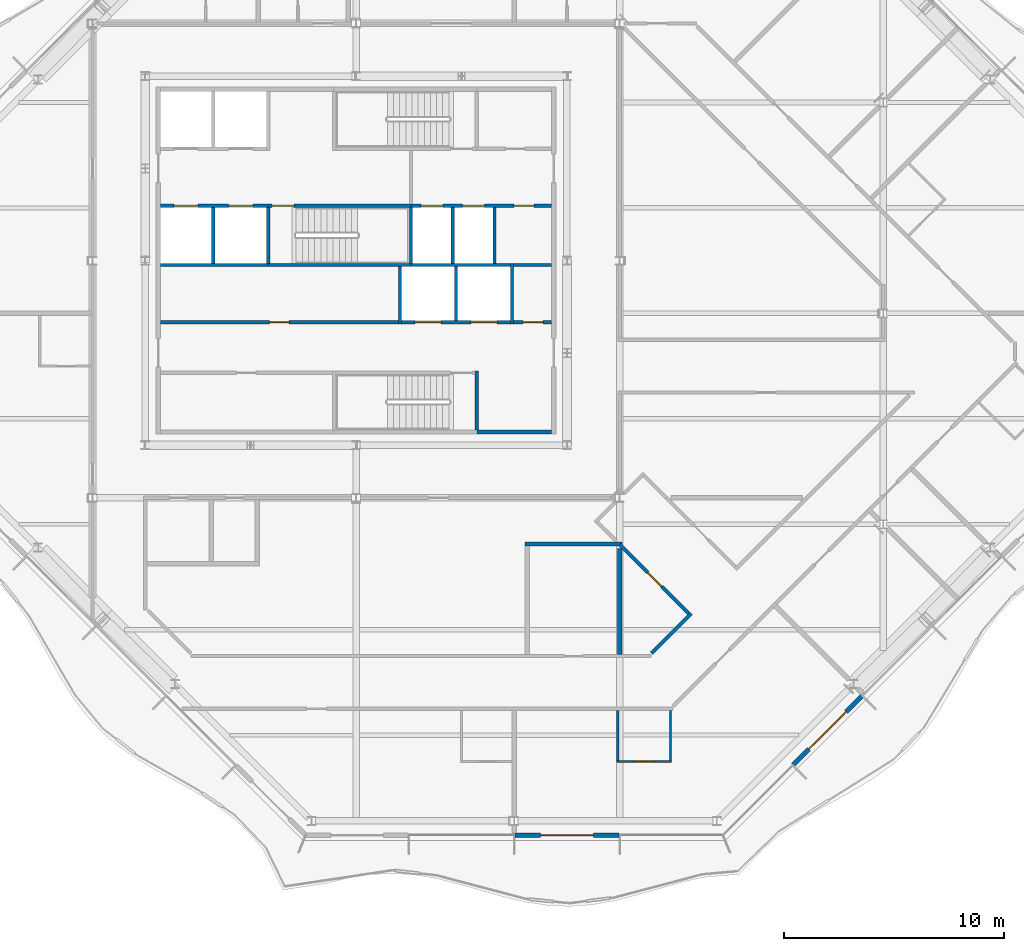
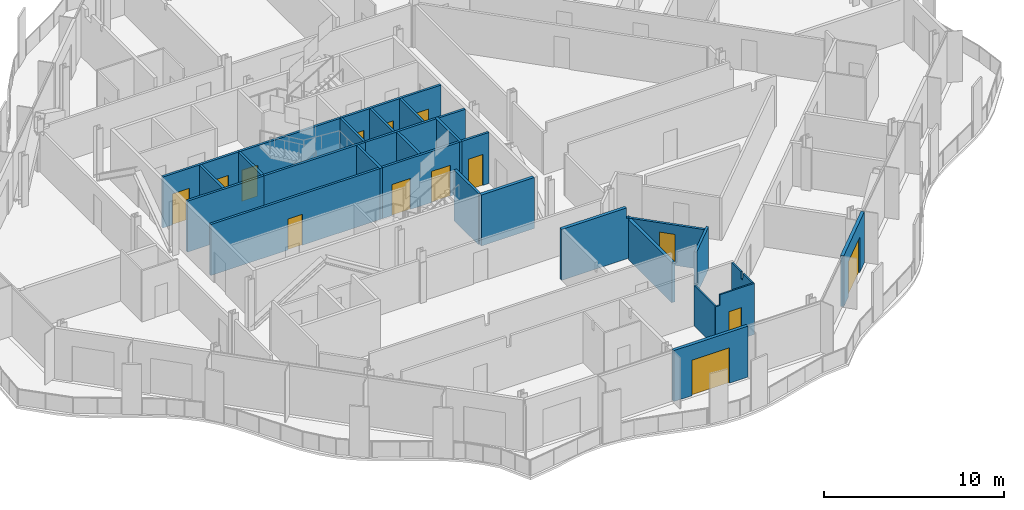
# One storey, part 8 of 17: 29 walls, 14 doors, 14 openings.
"""IFC4 building model written with IfcOpenShell, lengths in metres."""

from ifc_helpers import new_model, si_unit, direction, frame, frame_2d, origin, place, context, subcontext, project, spatial, polyline, rectangle, outline, extrude, material, layer, layer_set, type_object, element, fill, save


model = new_model("IFC4")

# Units and contexts
model_context = context("Model", 3, precision=1e-05, world=origin(), true_north=direction((0.0, 1.0)))
body_context = subcontext(model_context, "Body", "Model", "MODEL_VIEW")
ifc_project = project(units=[si_unit("LENGTHUNIT", "METRE"), si_unit("AREAUNIT", "SQUARE_METRE"), si_unit("VOLUMEUNIT", "CUBIC_METRE"), si_unit("PLANEANGLEUNIT", "RADIAN"), si_unit("MASSUNIT", "GRAM", prefix="KILO")], contexts=[model_context])

# Site, building, storey
site_placement = place(None, origin())
site = spatial("IfcSite", under=ifc_project, at=site_placement, CompositionType="ELEMENT")
building_placement = place(site_placement, origin())
building = spatial("IfcBuilding", under=site, at=building_placement, Name="Cairn Pilgrim Tower", CompositionType="ELEMENT")
storey_placement = place(building_placement, frame((0.0, 0.0, 235.800048828125)))
storey = spatial("IfcBuildingStorey", under=building, at=storey_placement, Name="L60", CompositionType="ELEMENT", Elevation=235.800048828125)

# Wall, opening, door
ifc_material_1 = material(Name="Bronze anodised aluminium insulated sandwich panel with mineral wool fill", Category="aluminium")
ifc_layer_1 = layer(ifc_material_1, 0.199951171875)
ifc_layer_set_1 = layer_set([ifc_layer_1], Name="BRONZE INFILL FRAME WALL 200")
wall_type_1 = type_object("IfcWallType", Name="BRONZE INFILL FRAME WALL 200", PredefinedType="NOTDEFINED", material=ifc_layer_set_1)
wall_1_placement = place(storey_placement, frame((14.429931640625, -23.75, 0.0), z_axis=(0.0, 0.0, 1.0), x_axis=(1.0, 0.0, 0.0)))
wall_1 = element("IfcWall", 1, at=wall_1_placement, inside=storey, type_object=wall_type_1, Name="Bronze infill frame wall IW-S3", PredefinedType="NOTDEFINED", context=body_context, shape_type="SweptSolid", body=[
    extrude(rectangle(XDim=4.739990234375, YDim=0.199951171875, at=frame_2d((2.3701171875, 0.0))), origin(), (0.0, 0.0, 1.0), 3.449951171875),
])
opening_1_placement = place(wall_1_placement, frame((1.169921875, 0.0, 0.0)))
opening_1 = element("IfcOpeningElement", 2, at=opening_1_placement, cuts=wall_1, Name="Opening 6001B2", PredefinedType="OPENING", context=body_context, shape_type="SweptSolid", body=[
    extrude(rectangle(XDim=2.39990234375, YDim=2.39990234375, at=frame_2d((1.199951171875, 1.199951171875))), frame((0.0, 0.10986328125, 0.0), z_axis=(0.0, -1.0, 0.0), x_axis=(1.0, 0.0, 0.0)), (0.0, 0.0, 1.0), 0.219970703125),
])
ifc_material_2 = material(Name="Bronze anodised aluminium frame with tinted low-E glass", Category="aluminium")
door_type_1 = type_object("IfcDoorType", Name="BALCONY SLIDING DOOR 2400x2400", OperationType="DOUBLE_DOOR_SLIDING", PredefinedType="DOOR", material=ifc_material_2)
door_1_placement = place(opening_1_placement, origin())
door_1 = element("IfcDoor", 3, at=door_1_placement, inside=storey, type_object=door_type_1, Name="Balcony sliding door 6001B2", OperationType="SINGLE_SWING_LEFT", OverallHeight=2.39990234375, OverallWidth=2.39990234375, PredefinedType="DOOR", context=body_context, shape_type="SweptSolid", body=[
    extrude(rectangle(XDim=2.39990234375, YDim=2.39990234375, at=frame_2d((1.199951171875, 1.199951171875))), frame((0.0, 0.02490234375, 0.0), z_axis=(0.0, -1.0, 0.0), x_axis=(1.0, 0.0, 0.0)), (0.0, 0.0, 1.0), 0.050048828125),
])
fill(opening_1, door_1)

wall_2_placement = place(storey_placement, frame((27.09326171875, -20.55322265625, 0.0), z_axis=(0.0, 0.0, 1.0), x_axis=(0.707079231393, 0.707134329907, 0.0)))
wall_2 = element("IfcWall", 4, at=wall_2_placement, inside=storey, type_object=wall_type_1, Name="Bronze infill frame wall IW-SE2", PredefinedType="NOTDEFINED", context=body_context, shape_type="SweptSolid", body=[
    extrude(rectangle(XDim=4.430908203125, YDim=0.199951171875, at=frame_2d((2.21533203125, 0.0))), origin(), (0.0, 0.0, 1.0), 3.449951171875),
])
opening_2_placement = place(wall_2_placement, frame((1.015380859375, 0.0, 0.0)))
opening_2 = element("IfcOpeningElement", 5, at=opening_2_placement, cuts=wall_2, Name="Opening 6001B", PredefinedType="OPENING", context=body_context, shape_type="SweptSolid", body=[
    extrude(rectangle(XDim=2.39990234375, YDim=2.39990234375, at=frame_2d((1.199951171875, 1.199951171875))), frame((0.0, 0.10986328125, 0.0), z_axis=(0.0, -1.0, 0.0), x_axis=(1.0, 0.0, 0.0)), (0.0, 0.0, 1.0), 0.219970703125),
])
door_2_placement = place(opening_2_placement, origin())
door_2 = element("IfcDoor", 6, at=door_2_placement, inside=storey, type_object=door_type_1, Name="Balcony sliding door 6001B", OperationType="SINGLE_SWING_LEFT", OverallHeight=2.39990234375, OverallWidth=2.39990234375, PredefinedType="DOOR", context=body_context, shape_type="SweptSolid", body=[
    extrude(rectangle(XDim=2.39990234375, YDim=2.39990234375, at=frame_2d((1.199951171875, 1.199951171875))), frame((0.0, 0.02490234375, 0.0), z_axis=(0.0, -1.0, 0.0), x_axis=(1.0, 0.0, 0.0)), (0.0, 0.0, 1.0), 0.050048828125),
])
fill(opening_2, door_2)

# Wall
ifc_material_3 = material(Name="Concrete C32/40", Category="concrete")
ifc_layer_2 = layer(ifc_material_3, 0.199951171875)
ifc_layer_set_2 = layer_set([ifc_layer_2], Name="CORE OUTER WALL 200 EI 120")
wall_type_2 = type_object("IfcWallType", Name="CORE OUTER WALL 200 EI 120", PredefinedType="SOLIDWALL", material=ifc_layer_set_2)
wall_3_placement = place(storey_placement, frame((12.699951171875, -5.39990234375, 0.0), z_axis=(0.0, 0.0, 1.0), x_axis=(1.0, 0.0, 0.0)))
element("IfcWall", 7, at=wall_3_placement, inside=storey, type_object=wall_type_2, Name="CW:L60:H01-3", PredefinedType="SOLIDWALL", context=body_context, shape_type="SweptSolid", body=[
    extrude(rectangle(XDim=3.400146484375, YDim=0.199951171875, at=frame_2d((1.7001953125, 0.0))), origin(), (0.0, 0.0, 1.0), 3.449951171875),
])

# Wall, opening, door
ifc_layer_3 = layer(ifc_material_3, 0.14990234375)
ifc_layer_set_3 = layer_set([ifc_layer_3], Name="CORE PARTITION 150 EI 60")
wall_type_3 = type_object("IfcWallType", Name="CORE PARTITION 150 EI 60", PredefinedType="PARTITIONING", material=ifc_layer_set_3)
wall_4_placement = place(storey_placement, frame((-1.699951171875, -0.39990234375, 0.0), z_axis=(0.0, 0.0, 1.0), x_axis=(1.0, 0.0, 0.0)))
wall_4 = element("IfcWall", 8, at=wall_4_placement, inside=storey, type_object=wall_type_3, Name="CW:L60:H04", PredefinedType="PARTITIONING", context=body_context, shape_type="SweptSolid", body=[
    extrude(rectangle(XDim=10.824951171875, YDim=0.14990234375, at=frame_2d((5.41259765625, 0.0))), origin(), (0.0, 0.0, 1.0), 3.449951171875),
])
opening_3_placement = place(wall_4_placement, frame((4.949951171875, 0.0, 0.0)))
opening_3 = element("IfcOpeningElement", 9, at=opening_3_placement, cuts=wall_4, Name="Opening RD-R2W1", PredefinedType="OPENING", context=body_context, shape_type="SweptSolid", body=[
    extrude(rectangle(XDim=0.89990234375, YDim=2.10009765625, at=frame_2d((0.449951171875, 1.050048828125))), frame((0.0, 0.0849609375, 0.0), z_axis=(0.0, -1.0, 0.0), x_axis=(1.0, 0.0, 0.0)), (0.0, 0.0, 1.0), 0.169921875),
])
ifc_material_4 = material(Name="Painted steel", Category="steel")
door_type_2 = type_object("IfcDoorType", Name="SERVICE ROOM DOOR 900x2100", OperationType="SINGLE_SWING_LEFT", PredefinedType="DOOR", material=ifc_material_4)
door_3_placement = place(opening_3_placement, origin())
door_3 = element("IfcDoor", 10, at=door_3_placement, inside=storey, type_object=door_type_2, Name="RD-R2W1", OperationType="SINGLE_SWING_RIGHT", OverallHeight=2.10009765625, OverallWidth=0.89990234375, PredefinedType="DOOR", context=body_context, shape_type="SweptSolid", body=[
    extrude(rectangle(XDim=0.89990234375, YDim=2.10009765625, at=frame_2d((0.449951171875, 1.050048828125))), frame((0.0, 0.02490234375, 0.0), z_axis=(0.0, -1.0, 0.0), x_axis=(1.0, 0.0, 0.0)), (0.0, 0.0, 1.0), 0.050048828125),
])
fill(opening_3, door_3)

wall_5_placement = place(storey_placement, frame((14.375, -0.39990234375, 0.0), z_axis=(0.0, 0.0, 1.0), x_axis=(1.0, 0.0, 0.0)))
wall_5 = element("IfcWall", 11, at=wall_5_placement, inside=storey, type_object=wall_type_3, Name="CW:L60:H06", PredefinedType="PARTITIONING", context=body_context, shape_type="SweptSolid", body=[
    extrude(rectangle(XDim=1.72509765625, YDim=0.14990234375, at=frame_2d((0.862548828125, 0.0))), origin(), (0.0, 0.0, 1.0), 3.449951171875),
])
opening_4_placement = place(wall_5_placement, frame((0.425048828125, 0.0, 0.0)))
opening_4 = element("IfcOpeningElement", 12, at=opening_4_placement, cuts=wall_5, Name="Opening RD-R2E", PredefinedType="OPENING", context=body_context, shape_type="SweptSolid", body=[
    extrude(rectangle(XDim=0.89990234375, YDim=2.10009765625, at=frame_2d((0.449951171875, 1.050048828125))), frame((0.0, 0.0849609375, 0.0), z_axis=(0.0, -1.0, 0.0), x_axis=(1.0, 0.0, 0.0)), (0.0, 0.0, 1.0), 0.169921875),
])
door_4_placement = place(opening_4_placement, origin())
door_4 = element("IfcDoor", 13, at=door_4_placement, inside=storey, type_object=door_type_2, Name="RD-R2E", OperationType="SINGLE_SWING_RIGHT", OverallHeight=2.10009765625, OverallWidth=0.89990234375, PredefinedType="DOOR", context=body_context, shape_type="SweptSolid", body=[
    extrude(rectangle(XDim=0.89990234375, YDim=2.10009765625, at=frame_2d((0.449951171875, 1.050048828125))), frame((0.0, 0.02490234375, 0.0), z_axis=(0.0, -1.0, 0.0), x_axis=(1.0, 0.0, 0.0)), (0.0, 0.0, 1.0), 0.050048828125),
])
fill(opening_4, door_4)

# Wall
wall_6_placement = place(storey_placement, frame((14.375, 2.199951171875, 0.0), z_axis=(0.0, 0.0, 1.0), x_axis=(1.0, 0.0, 0.0)))
element("IfcWall", 14, at=wall_6_placement, inside=storey, type_object=wall_type_3, Name="CW:L60:H08", PredefinedType="PARTITIONING", context=body_context, shape_type="SweptSolid", body=[
    extrude(rectangle(XDim=1.72509765625, YDim=0.14990234375, at=frame_2d((0.862548828125, 0.0))), origin(), (0.0, 0.0, 1.0), 3.449951171875),
])

# Wall, openings, doors
ifc_layer_4 = layer(ifc_material_3, 0.14990234375)
ifc_layer_set_4 = layer_set([ifc_layer_4], Name="CORE SHAFT WALL 150 EI 120")
wall_type_4 = type_object("IfcWallType", Name="CORE SHAFT WALL 150 EI 120", PredefinedType="SOLIDWALL", material=ifc_layer_set_4)
wall_7_placement = place(storey_placement, frame((9.27490234375, -0.39990234375, 0.0), z_axis=(0.0, 0.0, 1.0), x_axis=(1.0, 0.0, 0.0)))
wall_7 = element("IfcWall", 15, at=wall_7_placement, inside=storey, type_object=wall_type_4, Name="CW:L60:H05", PredefinedType="SOLIDWALL", context=body_context, shape_type="SweptSolid", body=[
    extrude(rectangle(XDim=4.9501953125, YDim=0.14990234375, at=frame_2d((2.47509765625, 0.0))), origin(), (0.0, 0.0, 1.0), 3.449951171875),
])
opening_5_placement = place(wall_7_placement, frame((0.60009765625, 0.0, 0.0)))
opening_5 = element("IfcOpeningElement", 16, at=opening_5_placement, cuts=wall_7, Name="Opening LD-SV1", PredefinedType="OPENING", context=body_context, shape_type="SweptSolid", body=[
    extrude(rectangle(XDim=1.199951171875, YDim=2.10009765625, at=frame_2d((0.60009765625, 1.050048828125))), frame((0.0, 0.0849609375, 0.0), z_axis=(0.0, -1.0, 0.0), x_axis=(1.0, 0.0, 0.0)), (0.0, 0.0, 1.0), 0.169921875),
])
opening_6_placement = place(wall_7_placement, frame((3.14990234375, 0.0, 0.0)))
opening_6 = element("IfcOpeningElement", 17, at=opening_6_placement, cuts=wall_7, Name="Opening LD-SV2", PredefinedType="OPENING", context=body_context, shape_type="SweptSolid", body=[
    extrude(rectangle(XDim=1.199951171875, YDim=2.10009765625, at=frame_2d((0.60009765625, 1.050048828125))), frame((0.0, 0.0849609375, 0.0), z_axis=(0.0, -1.0, 0.0), x_axis=(1.0, 0.0, 0.0)), (0.0, 0.0, 1.0), 0.169921875),
])
ifc_material_5 = material(Name="Stainless steel", Category="steel")
door_type_3 = type_object("IfcDoorType", Name="LIFT LANDING DOOR 1200x2100", OperationType="DOUBLE_DOOR_SLIDING", PredefinedType="DOOR", material=ifc_material_5)
door_5_placement = place(opening_5_placement, origin())
door_5 = element("IfcDoor", 18, at=door_5_placement, inside=storey, type_object=door_type_3, Name="LANDING DOOR SV1", OperationType="DOUBLE_DOOR_SLIDING", OverallHeight=2.10009765625, OverallWidth=1.199951171875, PredefinedType="DOOR", context=body_context, shape_type="SweptSolid", body=[
    extrude(rectangle(XDim=1.199951171875, YDim=2.10009765625, at=frame_2d((0.60009765625, 1.050048828125))), frame((0.0, 0.02490234375, 0.0), z_axis=(0.0, -1.0, 0.0), x_axis=(1.0, 0.0, 0.0)), (0.0, 0.0, 1.0), 0.050048828125),
])
fill(opening_5, door_5)
door_6_placement = place(opening_6_placement, origin())
door_6 = element("IfcDoor", 19, at=door_6_placement, inside=storey, type_object=door_type_3, Name="LANDING DOOR SV2", OperationType="DOUBLE_DOOR_SLIDING", OverallHeight=2.10009765625, OverallWidth=1.199951171875, PredefinedType="DOOR", context=body_context, shape_type="SweptSolid", body=[
    extrude(rectangle(XDim=1.199951171875, YDim=2.10009765625, at=frame_2d((0.60009765625, 1.050048828125))), frame((0.0, 0.02490234375, 0.0), z_axis=(0.0, -1.0, 0.0), x_axis=(1.0, 0.0, 0.0)), (0.0, 0.0, 1.0), 0.050048828125),
])
fill(opening_6, door_6)

# Walls
wall_8_placement = place(storey_placement, frame((-1.699951171875, 2.199951171875, 0.0), z_axis=(0.0, 0.0, 1.0), x_axis=(1.0, 0.0, 0.0)))
element("IfcWall", 20, at=wall_8_placement, inside=storey, type_object=wall_type_4, Name="CW:L60:H07-1", PredefinedType="SOLIDWALL", context=body_context, shape_type="SweptSolid", body=[
    extrude(rectangle(XDim=4.89990234375, YDim=0.14990234375, at=frame_2d((2.449951171875, 0.0))), origin(), (0.0, 0.0, 1.0), 3.449951171875),
])
wall_9_placement = place(storey_placement, frame((9.699951171875, 2.199951171875, 0.0), z_axis=(0.0, 0.0, 1.0), x_axis=(1.0, 0.0, 0.0)))
element("IfcWall", 21, at=wall_9_placement, inside=storey, type_object=wall_type_4, Name="CW:L60:H07-3", PredefinedType="SOLIDWALL", context=body_context, shape_type="SweptSolid", body=[
    extrude(rectangle(XDim=4.525146484375, YDim=0.14990234375, at=frame_2d((2.2626953125, 0.0))), origin(), (0.0, 0.0, 1.0), 3.449951171875),
])

# Wall, openings, doors
wall_10_placement = place(storey_placement, frame((-1.699951171875, 4.89990234375, 0.0), z_axis=(0.0, 0.0, 1.0), x_axis=(1.0, 0.0, 0.0)))
wall_10 = element("IfcWall", 22, at=wall_10_placement, inside=storey, type_object=wall_type_4, Name="CW:L60:H09-1", PredefinedType="SOLIDWALL", context=body_context, shape_type="SweptSolid", body=[
    extrude(rectangle(XDim=4.89990234375, YDim=0.14990234375, at=frame_2d((2.449951171875, 0.0))), origin(), (0.0, 0.0, 1.0), 3.449951171875),
])
opening_7_placement = place(wall_10_placement, frame((0.60009765625, 0.0, 0.0)))
opening_7 = element("IfcOpeningElement", 23, at=opening_7_placement, cuts=wall_10, Name="Opening LD-HR1", PredefinedType="OPENING", context=body_context, shape_type="SweptSolid", body=[
    extrude(rectangle(XDim=1.10009765625, YDim=2.10009765625, at=frame_2d((0.550048828125, 1.050048828125))), frame((0.0, 0.0849609375, 0.0), z_axis=(0.0, -1.0, 0.0), x_axis=(1.0, 0.0, 0.0)), (0.0, 0.0, 1.0), 0.169921875),
])
opening_8_placement = place(wall_10_placement, frame((3.10009765625, 0.0, 0.0)))
opening_8 = element("IfcOpeningElement", 24, at=opening_8_placement, cuts=wall_10, Name="Opening LD-HR2", PredefinedType="OPENING", context=body_context, shape_type="SweptSolid", body=[
    extrude(rectangle(XDim=1.10009765625, YDim=2.10009765625, at=frame_2d((0.550048828125, 1.050048828125))), frame((0.0, 0.0849609375, 0.0), z_axis=(0.0, -1.0, 0.0), x_axis=(1.0, 0.0, 0.0)), (0.0, 0.0, 1.0), 0.169921875),
])
door_type_4 = type_object("IfcDoorType", Name="LIFT LANDING DOOR 1100x2100", OperationType="DOUBLE_DOOR_SLIDING", PredefinedType="DOOR", material=ifc_material_5)
door_7_placement = place(opening_7_placement, origin())
door_7 = element("IfcDoor", 25, at=door_7_placement, inside=storey, type_object=door_type_4, Name="LANDING DOOR HR1", OperationType="DOUBLE_DOOR_SLIDING", OverallHeight=2.10009765625, OverallWidth=1.10009765625, PredefinedType="DOOR", context=body_context, shape_type="SweptSolid", body=[
    extrude(rectangle(XDim=1.10009765625, YDim=2.10009765625, at=frame_2d((0.550048828125, 1.050048828125))), frame((0.0, 0.02490234375, 0.0), z_axis=(0.0, -1.0, 0.0), x_axis=(1.0, 0.0, 0.0)), (0.0, 0.0, 1.0), 0.050048828125),
])
fill(opening_7, door_7)
door_8_placement = place(opening_8_placement, origin())
door_8 = element("IfcDoor", 26, at=door_8_placement, inside=storey, type_object=door_type_4, Name="LANDING DOOR HR2", OperationType="DOUBLE_DOOR_SLIDING", OverallHeight=2.10009765625, OverallWidth=1.10009765625, PredefinedType="DOOR", context=body_context, shape_type="SweptSolid", body=[
    extrude(rectangle(XDim=1.10009765625, YDim=2.10009765625, at=frame_2d((0.550048828125, 1.050048828125))), frame((0.0, 0.02490234375, 0.0), z_axis=(0.0, -1.0, 0.0), x_axis=(1.0, 0.0, 0.0)), (0.0, 0.0, 1.0), 0.050048828125),
])
fill(opening_8, door_8)

wall_11_placement = place(storey_placement, frame((9.699951171875, 4.89990234375, 0.0), z_axis=(0.0, 0.0, 1.0), x_axis=(1.0, 0.0, 0.0)))
wall_11 = element("IfcWall", 27, at=wall_11_placement, inside=storey, type_object=wall_type_4, Name="CW:L60:H09-3", PredefinedType="SOLIDWALL", context=body_context, shape_type="SweptSolid", body=[
    extrude(rectangle(XDim=6.400146484375, YDim=0.14990234375, at=frame_2d((3.2001953125, 0.0))), origin(), (0.0, 0.0, 1.0), 3.449951171875),
])
opening_9_placement = place(wall_11_placement, frame((0.449951171875, 0.0, 0.0)))
opening_9 = element("IfcOpeningElement", 28, at=opening_9_placement, cuts=wall_11, Name="Opening LD-FF1", PredefinedType="OPENING", context=body_context, shape_type="SweptSolid", body=[
    extrude(rectangle(XDim=1.0, YDim=2.10009765625, at=frame_2d((0.5, 1.050048828125))), frame((0.0, 0.0849609375, 0.0), z_axis=(0.0, -1.0, 0.0), x_axis=(1.0, 0.0, 0.0)), (0.0, 0.0, 1.0), 0.169921875),
])
opening_10_placement = place(wall_11_placement, frame((2.35009765625, 0.0, 0.0)))
opening_10 = element("IfcOpeningElement", 29, at=opening_10_placement, cuts=wall_11, Name="Opening LD-FF2", PredefinedType="OPENING", context=body_context, shape_type="SweptSolid", body=[
    extrude(rectangle(XDim=1.0, YDim=2.10009765625, at=frame_2d((0.5, 1.050048828125))), frame((0.0, 0.0849609375, 0.0), z_axis=(0.0, -1.0, 0.0), x_axis=(1.0, 0.0, 0.0)), (0.0, 0.0, 1.0), 0.169921875),
])
opening_11_placement = place(wall_11_placement, frame((4.699951171875, 0.0, 0.0)))
opening_11 = element("IfcOpeningElement", 30, at=opening_11_placement, cuts=wall_11, Name="Opening RD-R3E", PredefinedType="OPENING", context=body_context, shape_type="SweptSolid", body=[
    extrude(rectangle(XDim=0.89990234375, YDim=2.10009765625, at=frame_2d((0.449951171875, 1.050048828125))), frame((0.0, 0.0849609375, 0.0), z_axis=(0.0, -1.0, 0.0), x_axis=(1.0, 0.0, 0.0)), (0.0, 0.0, 1.0), 0.169921875),
])
door_type_5 = type_object("IfcDoorType", Name="LIFT LANDING DOOR FIRE 1000x2100", OperationType="DOUBLE_DOOR_SLIDING", PredefinedType="DOOR", material=ifc_material_5)
door_9_placement = place(opening_9_placement, origin())
door_9 = element("IfcDoor", 31, at=door_9_placement, inside=storey, type_object=door_type_5, Name="LANDING DOOR FF1", OperationType="DOUBLE_DOOR_SLIDING", OverallHeight=2.10009765625, OverallWidth=1.0, PredefinedType="DOOR", context=body_context, shape_type="SweptSolid", body=[
    extrude(rectangle(XDim=1.0, YDim=2.10009765625, at=frame_2d((0.5, 1.050048828125))), frame((0.0, 0.02490234375, 0.0), z_axis=(0.0, -1.0, 0.0), x_axis=(1.0, 0.0, 0.0)), (0.0, 0.0, 1.0), 0.050048828125),
])
fill(opening_9, door_9)
door_10_placement = place(opening_10_placement, origin())
door_10 = element("IfcDoor", 32, at=door_10_placement, inside=storey, type_object=door_type_5, Name="LANDING DOOR FF2", OperationType="DOUBLE_DOOR_SLIDING", OverallHeight=2.10009765625, OverallWidth=1.0, PredefinedType="DOOR", context=body_context, shape_type="SweptSolid", body=[
    extrude(rectangle(XDim=1.0, YDim=2.10009765625, at=frame_2d((0.5, 1.050048828125))), frame((0.0, 0.02490234375, 0.0), z_axis=(0.0, -1.0, 0.0), x_axis=(1.0, 0.0, 0.0)), (0.0, 0.0, 1.0), 0.050048828125),
])
fill(opening_10, door_10)
door_11_placement = place(opening_11_placement, origin())
door_11 = element("IfcDoor", 33, at=door_11_placement, inside=storey, type_object=door_type_2, Name="RD-R3E", OperationType="SINGLE_SWING_LEFT", OverallHeight=2.10009765625, OverallWidth=0.89990234375, PredefinedType="DOOR", context=body_context, shape_type="SweptSolid", body=[
    extrude(rectangle(XDim=0.89990234375, YDim=2.10009765625, at=frame_2d((0.449951171875, 1.050048828125))), frame((0.0, 0.02490234375, 0.0), z_axis=(0.0, -1.0, 0.0), x_axis=(1.0, 0.0, 0.0)), (0.0, 0.0, 1.0), 0.050048828125),
])
fill(opening_11, door_11)

# Walls
wall_12_placement = place(storey_placement, frame((0.699951171875, 2.27490234375, 0.0), z_axis=(0.0, 0.0, 1.0), x_axis=(0.0, 1.0, 0.0)))
element("IfcWall", 34, at=wall_12_placement, inside=storey, type_object=wall_type_4, Name="CW:L60:V14", PredefinedType="SOLIDWALL", context=body_context, shape_type="SweptSolid", body=[
    extrude(rectangle(XDim=2.550048828125, YDim=0.14990234375, at=frame_2d((1.27490234375, 0.0))), origin(), (0.0, 0.0, 1.0), 3.449951171875),
])
wall_13_placement = place(storey_placement, frame((9.199951171875, -0.47509765625, 0.0), z_axis=(0.0, 0.0, 1.0), x_axis=(0.0, 1.0, 0.0)))
element("IfcWall", 35, at=wall_13_placement, inside=storey, type_object=wall_type_4, Name="CW:L60:V20", PredefinedType="SOLIDWALL", context=body_context, shape_type="SweptSolid", body=[
    extrude(rectangle(XDim=2.60009765625, YDim=0.14990234375, at=frame_2d((1.300048828125, 0.0))), origin(), (0.0, 0.0, 1.0), 3.449951171875),
])
wall_14_placement = place(storey_placement, frame((11.60009765625, 2.27490234375, 0.0), z_axis=(0.0, 0.0, 1.0), x_axis=(0.0, 1.0, 0.0)))
element("IfcWall", 36, at=wall_14_placement, inside=storey, type_object=wall_type_4, Name="CW:L60:V23", PredefinedType="SOLIDWALL", context=body_context, shape_type="SweptSolid", body=[
    extrude(rectangle(XDim=2.550048828125, YDim=0.14990234375, at=frame_2d((1.27490234375, 0.0))), origin(), (0.0, 0.0, 1.0), 3.449951171875),
])
wall_15_placement = place(storey_placement, frame((11.75, -0.324951171875, 0.0), z_axis=(0.0, 0.0, 1.0), x_axis=(0.0, 1.0, 0.0)))
element("IfcWall", 37, at=wall_15_placement, inside=storey, type_object=wall_type_4, Name="CW:L60:V24", PredefinedType="SOLIDWALL", context=body_context, shape_type="SweptSolid", body=[
    extrude(rectangle(XDim=2.449951171875, YDim=0.14990234375, at=frame_2d((1.22509765625, 0.0))), origin(), (0.0, 0.0, 1.0), 3.449951171875),
])
wall_16_placement = place(storey_placement, frame((13.5, 2.27490234375, 0.0), z_axis=(0.0, 0.0, 1.0), x_axis=(0.0, 1.0, 0.0)))
element("IfcWall", 38, at=wall_16_placement, inside=storey, type_object=wall_type_4, Name="CW:L60:V27", PredefinedType="SOLIDWALL", context=body_context, shape_type="SweptSolid", body=[
    extrude(rectangle(XDim=2.550048828125, YDim=0.14990234375, at=frame_2d((1.27490234375, 0.0))), origin(), (0.0, 0.0, 1.0), 3.449951171875),
])
wall_17_placement = place(storey_placement, frame((14.300048828125, -0.47509765625, 0.0), z_axis=(0.0, 0.0, 1.0), x_axis=(0.0, 1.0, 0.0)))
element("IfcWall", 39, at=wall_17_placement, inside=storey, type_object=wall_type_4, Name="CW:L60:V28", PredefinedType="SOLIDWALL", context=body_context, shape_type="SweptSolid", body=[
    extrude(rectangle(XDim=2.75, YDim=0.14990234375, at=frame_2d((1.375, 0.0))), origin(), (0.0, 0.0, 1.0), 3.449951171875),
])

# Wall, opening, door
ifc_material_6 = material(Name="Gypsum partition")
ifc_layer_5 = layer(ifc_material_6, 0.10009765625)
ifc_layer_set_5 = layer_set([ifc_layer_5], Name="PARTITION 100 DRYWALL")
wall_type_5 = type_object("IfcWallType", Name="PARTITION 100 DRYWALL", PredefinedType="PARTITIONING", material=ifc_layer_set_5)
wall_18_placement = place(storey_placement, frame((19.06494140625, -20.39990234375, 0.0), z_axis=(0.0, 0.0, 1.0), x_axis=(1.0, 0.0, 0.0)))
wall_18 = element("IfcWall", 40, at=wall_18_placement, inside=storey, type_object=wall_type_5, Name="PARTITION W005", PredefinedType="PARTITIONING", context=body_context, shape_type="SweptSolid", body=[
    extrude(outline(polyline([(0.0, 0.0), (2.5, 0.0), (2.5, 3.449951171875), (0.284912109375, 3.449951171875), (0.282958984375, 2.72998046875), (0.0, 2.72998046875), (0.0, 0.0)])), frame((0.0, 0.050048828125, 0.0), z_axis=(0.0, -1.0, 0.0), x_axis=(1.0, 0.0, 0.0)), (0.0, 0.0, 1.0), 0.10009765625),
])
opening_12_placement = place(wall_18_placement, frame((0.85009765625, 0.0, 0.0)))
opening_12 = element("IfcOpeningElement", 41, at=opening_12_placement, cuts=wall_18, Name="Opening 6001A", PredefinedType="OPENING", context=body_context, shape_type="SweptSolid", body=[
    extrude(rectangle(XDim=0.800048828125, YDim=2.10009765625, at=frame_2d((0.39990234375, 1.050048828125))), frame((0.0, 0.06005859375, 0.0), z_axis=(0.0, -1.0, 0.0), x_axis=(1.0, 0.0, 0.0)), (0.0, 0.0, 1.0), 0.1201171875),
])
ifc_material_7 = material(Name="Timber door leaf", Category="wood")
door_type_6 = type_object("IfcDoorType", Name="WC DOOR 800x2100", OperationType="NOTDEFINED", PredefinedType="DOOR", material=ifc_material_7)
door_12_placement = place(opening_12_placement, frame((0.800048828125, 0.0, 0.0), z_axis=(0.0, 0.0, 1.0), x_axis=(-1.0, 0.0, 0.0)))
door_12 = element("IfcDoor", 42, at=door_12_placement, inside=storey, type_object=door_type_6, Name="DOOR 6001A", OperationType="SINGLE_SWING_RIGHT", OverallHeight=2.10009765625, OverallWidth=0.800048828125, PredefinedType="DOOR", context=body_context, shape_type="SweptSolid", body=[
    extrude(rectangle(XDim=0.800048828125, YDim=2.10009765625, at=frame_2d((0.39990234375, 1.050048828125))), frame((0.0, 0.02490234375, 0.0), z_axis=(0.0, -1.0, 0.0), x_axis=(1.0, 0.0, 0.0)), (0.0, 0.0, 1.0), 0.050048828125),
])
fill(opening_12, door_12)

# Walls
wall_19_placement = place(storey_placement, frame((19.114990234375, -20.35009765625, 0.0), z_axis=(0.0, 0.0, 1.0), x_axis=(0.0, 1.0, 0.0)))
element("IfcWall", 43, at=wall_19_placement, inside=storey, type_object=wall_type_5, Name="PARTITION W006", PredefinedType="PARTITIONING", context=body_context, shape_type="SweptSolid", body=[
    extrude(rectangle(XDim=2.275146484375, YDim=0.10009765625, at=frame_2d((1.1376953125, 0.0))), origin(), (0.0, 0.0, 1.0), 2.72998046875),
])
wall_20_placement = place(storey_placement, frame((21.514892578125, -20.35009765625, 0.0), z_axis=(0.0, 0.0, 1.0), x_axis=(0.0, 1.0, 0.0)))
element("IfcWall", 44, at=wall_20_placement, inside=storey, type_object=wall_type_5, Name="PARTITION W007", PredefinedType="PARTITIONING", context=body_context, shape_type="SweptSolid", body=[
    extrude(outline(polyline([(0.0, 0.0), (2.275146484375, 0.0), (2.27490234375, 3.449951171875), (1.2451171875, 3.449951171875), (1.242919921875, 2.97998046875), (1.054931640625, 2.97998046875), (1.052978515625, 3.449951171875), (0.0, 3.449951171875), (0.0, 0.0)])), frame((0.0, 0.050048828125, 0.0), z_axis=(0.0, -1.0, 0.0), x_axis=(1.0, 0.0, 0.0)), (0.0, 0.0, 1.0), 0.10009765625),
])
ifc_layer_6 = layer(ifc_material_6, 0.14990234375)
ifc_layer_set_6 = layer_set([ifc_layer_6], Name="PARTITION 150 DRYWALL EI 60")
wall_type_6 = type_object("IfcWallType", Name="PARTITION 150 DRYWALL EI 60", PredefinedType="PARTITIONING", material=ifc_layer_set_6)
wall_21_placement = place(storey_placement, frame((20.64892578125, -15.471923828125, 0.0), z_axis=(0.0, 0.0, 1.0), x_axis=(0.707106781187, 0.707106781187, 0.0)))
element("IfcWall", 45, at=wall_21_placement, inside=storey, type_object=wall_type_6, Name="PARTITION W016", PredefinedType="PARTITIONING", context=body_context, shape_type="SweptSolid", body=[
    extrude(rectangle(XDim=2.55126953125, YDim=0.14990234375, at=frame_2d((1.275634765625, 0.0))), origin(), (0.0, 0.0, 1.0), 2.8798828125),
])

# Wall, opening, door
wall_22_placement = place(storey_placement, frame((22.346923828125, -13.66796875, 0.0), z_axis=(0.0, 0.0, 1.0), x_axis=(-0.707106781187, 0.707106781187, 0.0)))
wall_22 = element("IfcWall", 46, at=wall_22_placement, inside=storey, type_object=wall_type_6, Name="PARTITION W018", PredefinedType="PARTITIONING", context=body_context, shape_type="SweptSolid", body=[
    extrude(rectangle(XDim=4.450439453125, YDim=0.14990234375, at=frame_2d((2.22509765625, 0.0))), origin(), (0.0, 0.0, 1.0), 2.72998046875),
])
opening_13_placement = place(wall_22_placement, frame((1.737060546875, 0.0, 0.0)))
opening_13 = element("IfcOpeningElement", 47, at=opening_13_placement, cuts=wall_22, Name="Opening 6017", PredefinedType="OPENING", context=body_context, shape_type="SweptSolid", body=[
    extrude(rectangle(XDim=0.89990234375, YDim=2.10009765625, at=frame_2d((0.449951171875, 1.050048828125))), frame((0.0, 0.0849609375, 0.0), z_axis=(0.0, -1.0, 0.0), x_axis=(1.0, 0.0, 0.0)), (0.0, 0.0, 1.0), 0.169921875),
])
door_type_7 = type_object("IfcDoorType", Name="SERVICE DOOR 900x2100 FD30S", OperationType="NOTDEFINED", PredefinedType="DOOR", material=ifc_material_7)
door_13_placement = place(opening_13_placement, origin())
door_13 = element("IfcDoor", 48, at=door_13_placement, inside=storey, type_object=door_type_7, Name="DOOR 6017", OperationType="SINGLE_SWING_LEFT", OverallHeight=2.10009765625, OverallWidth=0.89990234375, PredefinedType="DOOR", context=body_context, shape_type="SweptSolid", body=[
    extrude(rectangle(XDim=0.89990234375, YDim=2.10009765625, at=frame_2d((0.449951171875, 1.050048828125))), frame((0.0, 0.02490234375, 0.0), z_axis=(0.0, -1.0, 0.0), x_axis=(1.0, 0.0, 0.0)), (0.0, 0.0, 1.0), 0.050048828125),
])
fill(opening_13, door_13)

# Walls
ifc_layer_7 = layer(ifc_material_6, 0.199951171875)
ifc_layer_set_7 = layer_set([ifc_layer_7], Name="SHAFT WALL 200 GYPSUM EI 60")
wall_type_7 = type_object("IfcWallType", Name="SHAFT WALL 200 GYPSUM EI 60", PredefinedType="PARTITIONING", material=ifc_layer_set_7)
wall_23_placement = place(storey_placement, frame((19.199951171875, -15.52490234375, 0.0), z_axis=(0.0, 0.0, 1.0), x_axis=(0.0, 1.0, 0.0)))
element("IfcWall", 49, at=wall_23_placement, inside=storey, type_object=wall_type_7, Name="PARTITION W015", PredefinedType="PARTITIONING", context=body_context, shape_type="SweptSolid", body=[
    extrude(rectangle(XDim=4.8154296875, YDim=0.199951171875, at=frame_2d((2.40771484375, 0.0))), origin(), (0.0, 0.0, 1.0), 2.72998046875),
])
wall_24_placement = place(storey_placement, frame((14.89990234375, -10.5, 0.0), z_axis=(0.0, 0.0, 1.0), x_axis=(1.0, 0.0, 0.0)))
element("IfcWall", 50, at=wall_24_placement, inside=storey, type_object=wall_type_7, Name="PARTITION W028", PredefinedType="PARTITIONING", context=body_context, shape_type="SweptSolid", body=[
    extrude(outline(polyline([(0.0, 0.0), (4.395751953125, 0.0), (4.3955078125, 2.72998046875), (4.14990234375, 2.72998046875), (4.14794921875, 3.449951171875), (0.0, 3.449951171875), (0.0, 0.0)])), frame((0.0, 0.10009765625, 0.0), z_axis=(0.0, -1.0, 0.0), x_axis=(1.0, 0.0, 0.0)), (0.0, 0.0, 1.0), 0.199951171875),
])
ifc_material_8 = material(Name="Concrete C35/45", Category="concrete")
ifc_layer_8 = layer(ifc_material_8, 0.14990234375)
ifc_layer_set_8 = layer_set([ifc_layer_8], Name="STAIR SHAFT WALL 150 EI 120")
wall_type_8 = type_object("IfcWallType", Name="STAIR SHAFT WALL 150 EI 120", PredefinedType="SOLIDWALL", material=ifc_layer_set_8)
wall_25_placement = place(storey_placement, frame((3.199951171875, 2.199951171875, 0.0), z_axis=(0.0, 0.0, 1.0), x_axis=(1.0, 0.0, 0.0)))
element("IfcWall", 51, at=wall_25_placement, inside=storey, type_object=wall_type_8, Name="CW:L60:H07-2", PredefinedType="SOLIDWALL", context=body_context, shape_type="SweptSolid", body=[
    extrude(rectangle(XDim=6.5, YDim=0.14990234375, at=frame_2d((3.25, 0.0))), origin(), (0.0, 0.0, 1.0), 3.449951171875),
])

# Wall, opening, door
wall_26_placement = place(storey_placement, frame((3.199951171875, 4.89990234375, 0.0), z_axis=(0.0, 0.0, 1.0), x_axis=(1.0, 0.0, 0.0)))
wall_26 = element("IfcWall", 52, at=wall_26_placement, inside=storey, type_object=wall_type_8, Name="CW:L60:H09-2", PredefinedType="SOLIDWALL", context=body_context, shape_type="SweptSolid", body=[
    extrude(rectangle(XDim=6.5, YDim=0.14990234375, at=frame_2d((3.25, 0.0))), origin(), (0.0, 0.0, 1.0), 3.449951171875),
])
opening_14_placement = place(wall_26_placement, frame((0.175048828125, 0.0, 0.0)))
opening_14 = element("IfcOpeningElement", 53, at=opening_14_placement, cuts=wall_26, Name="Opening SD-B", PredefinedType="OPENING", context=body_context, shape_type="SweptSolid", body=[
    extrude(rectangle(XDim=1.0, YDim=2.10009765625, at=frame_2d((0.5, 1.050048828125))), frame((0.0, 0.0849609375, 0.0), z_axis=(0.0, -1.0, 0.0), x_axis=(1.0, 0.0, 0.0)), (0.0, 0.0, 1.0), 0.169921875),
])
door_type_8 = type_object("IfcDoorType", Name="STAIR DOOR FD60S 1000x2100", OperationType="SINGLE_SWING_LEFT", PredefinedType="DOOR", material=ifc_material_4)
door_14_placement = place(opening_14_placement, origin())
door_14 = element("IfcDoor", 54, at=door_14_placement, inside=storey, type_object=door_type_8, Name="SD-B", OperationType="SINGLE_SWING_RIGHT", OverallHeight=2.10009765625, OverallWidth=1.0, PredefinedType="DOOR", context=body_context, shape_type="SweptSolid", body=[
    extrude(rectangle(XDim=1.0, YDim=2.10009765625, at=frame_2d((0.5, 1.050048828125))), frame((0.0, 0.02490234375, 0.0), z_axis=(0.0, -1.0, 0.0), x_axis=(1.0, 0.0, 0.0)), (0.0, 0.0, 1.0), 0.050048828125),
])
fill(opening_14, door_14)

# Walls
for number, where, z_axis, x_axis, name in (
    (55, (3.199951171875, 2.27490234375, 0.0), (0.0, 0.0, 1.0), (0.0, 1.0, 0.0), "CW:L60:V16"),
    (56, (9.699951171875, 2.27490234375, 0.0), (0.0, 0.0, 1.0), (0.0, 1.0, 0.0), "CW:L60:V21"),
):
    element("IfcWall", number, at=place(storey_placement, frame(where, z_axis=z_axis, x_axis=x_axis)), inside=storey, type_object=wall_type_8, Name=name, PredefinedType="SOLIDWALL", context=body_context, shape_type="SweptSolid", body=[
        extrude(rectangle(XDim=2.550048828125, YDim=0.14990234375, at=frame_2d((1.27490234375, 0.0))), origin(), (0.0, 0.0, 1.0), 3.449951171875),
    ])
wall_27_placement = place(storey_placement, frame((12.699951171875, -5.300048828125, 0.0), z_axis=(0.0, 0.0, 1.0), x_axis=(0.0, 1.0, 0.0)))
element("IfcWall", 57, at=wall_27_placement, inside=storey, type_object=wall_type_8, Name="CW:L60:V25", PredefinedType="SOLIDWALL", context=body_context, shape_type="SweptSolid", body=[
    extrude(rectangle(XDim=2.675048828125, YDim=0.14990234375, at=frame_2d((1.33740234375, 0.0))), origin(), (0.0, 0.0, 1.0), 3.449951171875),
])

save(model, "model.ifc")
